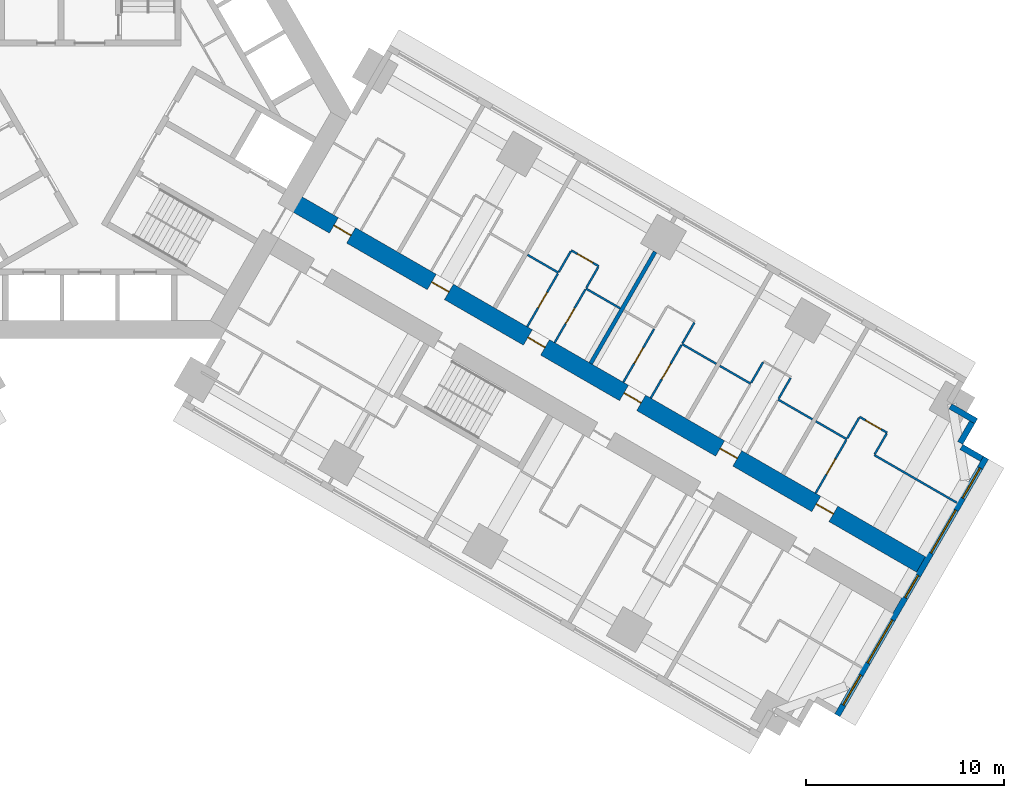
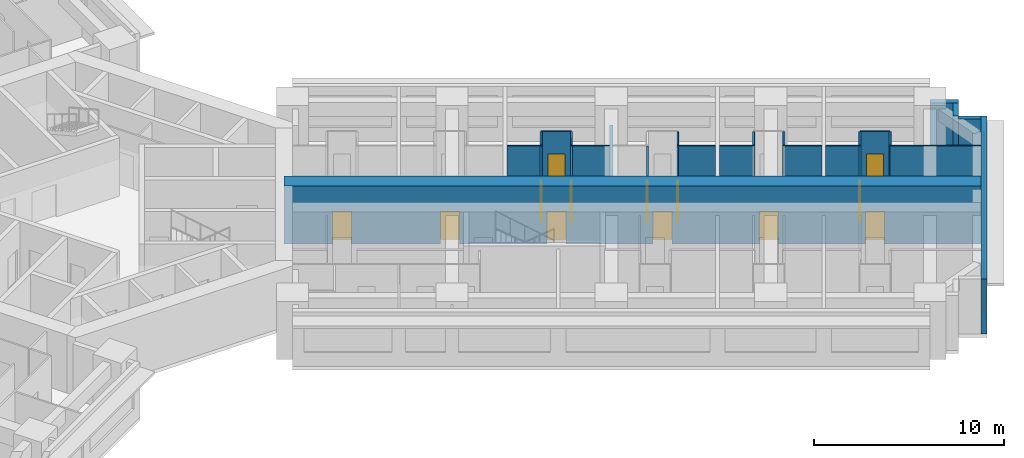
# One storey, part 12 of 16: 27 walls, 13 doors, 5 windows, 18 openings.
"""IFC4 building model written with IfcOpenShell, lengths in metres."""

from ifc_helpers import new_model, si_unit, direction, frame, frame_2d, origin, place, context, subcontext, project, spatial, rectangle, extrude, material, layer, layer_set, type_object, element, fill, save


model = new_model("IFC4")

# Units and contexts
model_context = context("Model", 3, precision=1e-05, world=origin(), true_north=direction((0.0, 1.0)))
body_context = subcontext(model_context, "Body", "Model", "MODEL_VIEW")
ifc_project = project(units=[si_unit("LENGTHUNIT", "METRE"), si_unit("AREAUNIT", "SQUARE_METRE"), si_unit("VOLUMEUNIT", "CUBIC_METRE"), si_unit("PLANEANGLEUNIT", "RADIAN"), si_unit("MASSUNIT", "GRAM", prefix="KILO")], contexts=[model_context])

# Site, building, storey
site_placement = place(None, origin())
site = spatial("IfcSite", under=ifc_project, at=site_placement, CompositionType="ELEMENT")
building_placement = place(site_placement, origin())
building = spatial("IfcBuilding", under=site, at=building_placement, Name="Impinga Residences", CompositionType="ELEMENT")
storey_placement = place(building_placement, frame((0.0, 0.0, 41.0)))
storey = spatial("IfcBuildingStorey", under=building, at=storey_placement, Name="L09", CompositionType="ELEMENT", Elevation=41.0)

# Wall, openings, doors
ifc_material_1 = material(Name="Concrete C70/85", Category="concrete")
ifc_layer_1 = layer(ifc_material_1, 0.89990234375)
ifc_layer_set_1 = layer_set([ifc_layer_1], Name="Concrete C70/85")
wall_type_1 = type_object("IfcWallType", Name="BW1 corridor buttress wall, L05 to L22 900", PredefinedType="SHEAR", material=ifc_layer_set_1)
wall_1_placement = place(storey_placement, frame((10.1103515625, -4.451416015625, 0.0), z_axis=(0.0, 0.0, 1.0), x_axis=(0.866025284237, -0.500000207062, 0.0)))
wall_1 = element("IfcWall", 1, at=wall_1_placement, inside=storey, type_object=wall_type_1, Name="Corridor wall BW1 EC L09", PredefinedType="SHEAR", context=body_context, shape_type="SweptSolid", body=[
    extrude(rectangle(XDim=36.75, YDim=0.89990234375, at=frame_2d((18.375, 0.0))), origin(), (0.0, 0.0, 1.0), 3.75),
])
opening_1_placement = place(wall_1_placement, frame((2.550048828125, 0.0, 0.0)))
opening_1 = element("IfcOpeningElement", 2, at=opening_1_placement, cuts=wall_1, Name="Opening D1", PredefinedType="OPENING", context=body_context, shape_type="SweptSolid", body=[
    extrude(rectangle(XDim=1.0, YDim=2.10009765625, at=frame_2d((0.5, 1.050048828125))), frame((0.0, 0.4599609375, 0.0), z_axis=(0.0, -1.0, 0.0), x_axis=(1.0, 0.0, 0.0)), (0.0, 0.0, 1.0), 0.919921875),
])
opening_2_placement = place(wall_1_placement, frame((8.25, 0.0, 0.0)))
opening_2 = element("IfcOpeningElement", 3, at=opening_2_placement, cuts=wall_1, Name="Opening D1", PredefinedType="OPENING", context=body_context, shape_type="SweptSolid", body=[
    extrude(rectangle(XDim=1.0, YDim=2.10009765625, at=frame_2d((0.5, 1.050048828125))), frame((0.0, 0.4599609375, 0.0), z_axis=(0.0, -1.0, 0.0), x_axis=(1.0, 0.0, 0.0)), (0.0, 0.0, 1.0), 0.919921875),
])
opening_3_placement = place(wall_1_placement, frame((13.85009765625, 0.0, 0.0)))
opening_3 = element("IfcOpeningElement", 4, at=opening_3_placement, cuts=wall_1, Name="Opening D1", PredefinedType="OPENING", context=body_context, shape_type="SweptSolid", body=[
    extrude(rectangle(XDim=1.0, YDim=2.10009765625, at=frame_2d((0.5, 1.050048828125))), frame((0.0, 0.4599609375, 0.0), z_axis=(0.0, -1.0, 0.0), x_axis=(1.0, 0.0, 0.0)), (0.0, 0.0, 1.0), 0.919921875),
])
opening_4_placement = place(wall_1_placement, frame((19.449951171875, 0.0, 0.0)))
opening_4 = element("IfcOpeningElement", 5, at=opening_4_placement, cuts=wall_1, Name="Opening D1", PredefinedType="OPENING", context=body_context, shape_type="SweptSolid", body=[
    extrude(rectangle(XDim=1.0, YDim=2.10009765625, at=frame_2d((0.5, 1.050048828125))), frame((0.0, 0.4599609375, 0.0), z_axis=(0.0, -1.0, 0.0), x_axis=(1.0, 0.0, 0.0)), (0.0, 0.0, 1.0), 0.919921875),
])
opening_5_placement = place(wall_1_placement, frame((25.050048828125, 0.0, 0.0)))
opening_5 = element("IfcOpeningElement", 6, at=opening_5_placement, cuts=wall_1, Name="Opening D1", PredefinedType="OPENING", context=body_context, shape_type="SweptSolid", body=[
    extrude(rectangle(XDim=1.0, YDim=2.10009765625, at=frame_2d((0.5, 1.050048828125))), frame((0.0, 0.4599609375, 0.0), z_axis=(0.0, -1.0, 0.0), x_axis=(1.0, 0.0, 0.0)), (0.0, 0.0, 1.0), 0.919921875),
])
opening_6_placement = place(wall_1_placement, frame((30.64990234375, 0.0, 0.0)))
opening_6 = element("IfcOpeningElement", 7, at=opening_6_placement, cuts=wall_1, Name="Opening D1", PredefinedType="OPENING", context=body_context, shape_type="SweptSolid", body=[
    extrude(rectangle(XDim=1.0, YDim=2.10009765625, at=frame_2d((0.5, 1.050048828125))), frame((0.0, 0.4599609375, 0.0), z_axis=(0.0, -1.0, 0.0), x_axis=(1.0, 0.0, 0.0)), (0.0, 0.0, 1.0), 0.919921875),
])
ifc_material_2 = material(Name="Timber door set", Category="wood")
door_type_1 = type_object("IfcDoorType", Name="D1 apartment entrance door 1000x2100", OperationType="SINGLE_SWING_LEFT", PredefinedType="DOOR", material=ifc_material_2)
door_1_placement = place(opening_1_placement, origin())
door_1 = element("IfcDoor", 8, at=door_1_placement, inside=storey, type_object=door_type_1, Name="Apartment L09-EA1 entrance", OperationType="SINGLE_SWING_LEFT", OverallHeight=2.10009765625, OverallWidth=1.0, PredefinedType="DOOR", context=body_context, shape_type="SweptSolid", body=[
    extrude(rectangle(XDim=1.0, YDim=2.10009765625, at=frame_2d((0.5, 1.050048828125))), frame((0.0, 0.02490234375, 0.0), z_axis=(0.0, -1.0, 0.0), x_axis=(1.0, 0.0, 0.0)), (0.0, 0.0, 1.0), 0.050048828125),
])
fill(opening_1, door_1)
door_2_placement = place(opening_2_placement, origin())
door_2 = element("IfcDoor", 9, at=door_2_placement, inside=storey, type_object=door_type_1, Name="Apartment L09-EA2 entrance", OperationType="SINGLE_SWING_LEFT", OverallHeight=2.10009765625, OverallWidth=1.0, PredefinedType="DOOR", context=body_context, shape_type="SweptSolid", body=[
    extrude(rectangle(XDim=1.0, YDim=2.10009765625, at=frame_2d((0.5, 1.050048828125))), frame((0.0, 0.02490234375, 0.0), z_axis=(0.0, -1.0, 0.0), x_axis=(1.0, 0.0, 0.0)), (0.0, 0.0, 1.0), 0.050048828125),
])
fill(opening_2, door_2)
door_3_placement = place(opening_3_placement, origin())
door_3 = element("IfcDoor", 10, at=door_3_placement, inside=storey, type_object=door_type_1, Name="Apartment L09-EA3 entrance", OperationType="SINGLE_SWING_LEFT", OverallHeight=2.10009765625, OverallWidth=1.0, PredefinedType="DOOR", context=body_context, shape_type="SweptSolid", body=[
    extrude(rectangle(XDim=1.0, YDim=2.10009765625, at=frame_2d((0.5, 1.050048828125))), frame((0.0, 0.02490234375, 0.0), z_axis=(0.0, -1.0, 0.0), x_axis=(1.0, 0.0, 0.0)), (0.0, 0.0, 1.0), 0.050048828125),
])
fill(opening_3, door_3)
door_4_placement = place(opening_4_placement, origin())
door_4 = element("IfcDoor", 11, at=door_4_placement, inside=storey, type_object=door_type_1, Name="Apartment L09-EA4 entrance", OperationType="SINGLE_SWING_RIGHT", OverallHeight=2.10009765625, OverallWidth=1.0, PredefinedType="DOOR", context=body_context, shape_type="SweptSolid", body=[
    extrude(rectangle(XDim=1.0, YDim=2.10009765625, at=frame_2d((0.5, 1.050048828125))), frame((0.0, 0.02490234375, 0.0), z_axis=(0.0, -1.0, 0.0), x_axis=(1.0, 0.0, 0.0)), (0.0, 0.0, 1.0), 0.050048828125),
])
fill(opening_4, door_4)
door_5_placement = place(opening_5_placement, origin())
door_5 = element("IfcDoor", 12, at=door_5_placement, inside=storey, type_object=door_type_1, Name="Apartment L09-EA5 entrance", OperationType="SINGLE_SWING_RIGHT", OverallHeight=2.10009765625, OverallWidth=1.0, PredefinedType="DOOR", context=body_context, shape_type="SweptSolid", body=[
    extrude(rectangle(XDim=1.0, YDim=2.10009765625, at=frame_2d((0.5, 1.050048828125))), frame((0.0, 0.02490234375, 0.0), z_axis=(0.0, -1.0, 0.0), x_axis=(1.0, 0.0, 0.0)), (0.0, 0.0, 1.0), 0.050048828125),
])
fill(opening_5, door_5)
door_6_placement = place(opening_6_placement, origin())
door_6 = element("IfcDoor", 13, at=door_6_placement, inside=storey, type_object=door_type_1, Name="Apartment L09-EA6 entrance", OperationType="SINGLE_SWING_RIGHT", OverallHeight=2.10009765625, OverallWidth=1.0, PredefinedType="DOOR", context=body_context, shape_type="SweptSolid", body=[
    extrude(rectangle(XDim=1.0, YDim=2.10009765625, at=frame_2d((0.5, 1.050048828125))), frame((0.0, 0.02490234375, 0.0), z_axis=(0.0, -1.0, 0.0), x_axis=(1.0, 0.0, 0.0)), (0.0, 0.0, 1.0), 0.050048828125),
])
fill(opening_6, door_6)

# Walls
ifc_material_3 = material(Name="Terracotta rainscreen on blockwork", Category="masonry")
ifc_layer_2 = layer(ifc_material_3, 0.300048828125)
ifc_layer_set_2 = layer_set([ifc_layer_2], Name="EW1 external wall, terracotta rainscreen on blockwork 300")
wall_type_2 = type_object("IfcWallType", Name="EW1 external wall, terracotta rainscreen on blockwork 300", PredefinedType="SOLIDWALL", material=ifc_layer_set_2)
wall_2_placement = place(storey_placement, frame((43.42333984375, -14.8515625, 0.0), z_axis=(0.0, 0.0, 1.0), x_axis=(0.866031096941, -0.499990139034, 0.0)))
element("IfcWall", 14, at=wall_2_placement, inside=storey, type_object=wall_type_2, Name="External wall EW1 L09", PredefinedType="SOLIDWALL", context=body_context, shape_type="SweptSolid", body=[
    extrude(rectangle(XDim=1.5, YDim=0.300048828125, at=frame_2d((0.75, 0.0))), origin(), (0.0, 0.0, 1.0), 3.530029296875),
])
wall_3_placement = place(storey_placement, frame((44.517578125, -15.65625, 0.0), z_axis=(0.0, 0.0, 1.0), x_axis=(-0.500033551112, -0.866006032174, 0.0)))
element("IfcWall", 15, at=wall_3_placement, inside=storey, type_object=wall_type_2, Name="External wall EW1 L09", PredefinedType="SOLIDWALL", context=body_context, shape_type="SweptSolid", body=[
    extrude(rectangle(XDim=1.2001953125, YDim=0.300048828125, at=frame_2d((0.60009765625, 0.0))), origin(), (0.0, 0.0, 1.0), 3.530029296875),
])
wall_4_placement = place(storey_placement, frame((43.976806640625, -16.903076171875, 0.0), z_axis=(0.0, 0.0, 1.0), x_axis=(0.866059708757, -0.499940577336, 0.0)))
element("IfcWall", 16, at=wall_4_placement, inside=storey, type_object=wall_type_2, Name="External wall EW1 L09", PredefinedType="SOLIDWALL", context=body_context, shape_type="SweptSolid", body=[
    extrude(rectangle(XDim=1.195068359375, YDim=0.300048828125, at=frame_2d((0.59765625, 0.0))), origin(), (0.0, 0.0, 1.0), 3.530029296875),
])

# Wall, openings, windows
wall_5_placement = place(storey_placement, frame((45.216552734375, -17.445556640625, 0.0), z_axis=(0.0, 0.0, 1.0), x_axis=(-0.499997186618, -0.866027028085, 0.0)))
wall_5 = element("IfcWall", 17, at=wall_5_placement, inside=storey, type_object=wall_type_2, Name="External wall EW1 L09", PredefinedType="SOLIDWALL", context=body_context, shape_type="SweptSolid", body=[
    extrude(rectangle(XDim=15.0, YDim=0.300048828125, at=frame_2d((7.5, 0.0))), origin(), (0.0, 0.0, 1.0), 3.530029296875),
])
opening_7_placement = place(wall_5_placement, frame((0.60009765625, 0.0, 0.89990234375)))
opening_7 = element("IfcOpeningElement", 18, at=opening_7_placement, cuts=wall_5, Name="Opening W1", PredefinedType="OPENING", context=body_context, shape_type="SweptSolid", body=[
    extrude(rectangle(XDim=1.75, YDim=2.050048828125, at=frame_2d((0.875, 1.02490234375))), frame((0.0, 0.159912109375, 0.0), z_axis=(0.0, -1.0, 0.0), x_axis=(1.0, 0.0, 0.0)), (0.0, 0.0, 1.0), 0.320068359375),
])
opening_8_placement = place(wall_5_placement, frame((3.050048828125, 0.0, 0.89990234375)))
opening_8 = element("IfcOpeningElement", 19, at=opening_8_placement, cuts=wall_5, Name="Opening W2", PredefinedType="OPENING", context=body_context, shape_type="SweptSolid", body=[
    extrude(rectangle(XDim=2.5, YDim=2.050048828125, at=frame_2d((1.25, 1.02490234375))), frame((0.0, 0.159912109375, 0.0), z_axis=(0.0, -1.0, 0.0), x_axis=(1.0, 0.0, 0.0)), (0.0, 0.0, 1.0), 0.320068359375),
])
opening_9_placement = place(wall_5_placement, frame((6.85009765625, 0.0, 0.89990234375)))
opening_9 = element("IfcOpeningElement", 20, at=opening_9_placement, cuts=wall_5, Name="Opening WE1", PredefinedType="OPENING", context=body_context, shape_type="SweptSolid", body=[
    extrude(rectangle(XDim=1.300048828125, YDim=2.050048828125, at=frame_2d((0.64990234375, 1.02490234375))), frame((0.0, 0.159912109375, 0.0), z_axis=(0.0, -1.0, 0.0), x_axis=(1.0, 0.0, 0.0)), (0.0, 0.0, 1.0), 0.320068359375),
])
opening_10_placement = place(wall_5_placement, frame((9.449951171875, 0.0, 0.89990234375)))
opening_10 = element("IfcOpeningElement", 21, at=opening_10_placement, cuts=wall_5, Name="Opening W2", PredefinedType="OPENING", context=body_context, shape_type="SweptSolid", body=[
    extrude(rectangle(XDim=2.5, YDim=2.050048828125, at=frame_2d((1.25, 1.02490234375))), frame((0.0, 0.159912109375, 0.0), z_axis=(0.0, -1.0, 0.0), x_axis=(1.0, 0.0, 0.0)), (0.0, 0.0, 1.0), 0.320068359375),
])
opening_11_placement = place(wall_5_placement, frame((12.64990234375, 0.0, 0.89990234375)))
opening_11 = element("IfcOpeningElement", 22, at=opening_11_placement, cuts=wall_5, Name="Opening W1", PredefinedType="OPENING", context=body_context, shape_type="SweptSolid", body=[
    extrude(rectangle(XDim=1.75, YDim=2.050048828125, at=frame_2d((0.875, 1.02490234375))), frame((0.0, 0.159912109375, 0.0), z_axis=(0.0, -1.0, 0.0), x_axis=(1.0, 0.0, 0.0)), (0.0, 0.0, 1.0), 0.320068359375),
])
ifc_material_4 = material(Name="Aluminium window, clear double glazing", Category="aluminium")
window_type_1 = type_object("IfcWindowType", Name="W1 ribbon window 1750x2050", PartitioningType="SINGLE_PANEL", PredefinedType="WINDOW", material=ifc_material_4)
window_1_placement = place(opening_7_placement, origin())
window_1 = element("IfcWindow", 23, at=window_1_placement, inside=storey, type_object=window_type_1, Name="Window L09", OverallHeight=2.050048828125, OverallWidth=1.75, PartitioningType="SINGLE_PANEL", PredefinedType="WINDOW", context=body_context, shape_type="SweptSolid", body=[
    extrude(rectangle(XDim=1.75, YDim=2.050048828125, at=frame_2d((0.875, 1.02490234375))), frame((0.0, 0.030029296875, 0.0), z_axis=(0.0, -1.0, 0.0), x_axis=(1.0, 0.0, 0.0)), (0.0, 0.0, 1.0), 0.06005859375),
])
fill(opening_7, window_1)
window_2_placement = place(opening_11_placement, origin())
window_2 = element("IfcWindow", 24, at=window_2_placement, inside=storey, type_object=window_type_1, Name="Window L09", OverallHeight=2.050048828125, OverallWidth=1.75, PartitioningType="SINGLE_PANEL", PredefinedType="WINDOW", context=body_context, shape_type="SweptSolid", body=[
    extrude(rectangle(XDim=1.75, YDim=2.050048828125, at=frame_2d((0.875, 1.02490234375))), frame((0.0, 0.030029296875, 0.0), z_axis=(0.0, -1.0, 0.0), x_axis=(1.0, 0.0, 0.0)), (0.0, 0.0, 1.0), 0.06005859375),
])
fill(opening_11, window_2)
window_type_2 = type_object("IfcWindowType", Name="W2 ribbon window 2500x2050", PartitioningType="SINGLE_PANEL", PredefinedType="WINDOW", material=ifc_material_4)
window_3_placement = place(opening_8_placement, origin())
window_3 = element("IfcWindow", 25, at=window_3_placement, inside=storey, type_object=window_type_2, Name="Window L09", OverallHeight=2.050048828125, OverallWidth=2.5, PartitioningType="SINGLE_PANEL", PredefinedType="WINDOW", context=body_context, shape_type="SweptSolid", body=[
    extrude(rectangle(XDim=2.5, YDim=2.050048828125, at=frame_2d((1.25, 1.02490234375))), frame((0.0, 0.030029296875, 0.0), z_axis=(0.0, -1.0, 0.0), x_axis=(1.0, 0.0, 0.0)), (0.0, 0.0, 1.0), 0.06005859375),
])
fill(opening_8, window_3)
window_4_placement = place(opening_10_placement, origin())
window_4 = element("IfcWindow", 26, at=window_4_placement, inside=storey, type_object=window_type_2, Name="Window L09", OverallHeight=2.050048828125, OverallWidth=2.5, PartitioningType="SINGLE_PANEL", PredefinedType="WINDOW", context=body_context, shape_type="SweptSolid", body=[
    extrude(rectangle(XDim=2.5, YDim=2.050048828125, at=frame_2d((1.25, 1.02490234375))), frame((0.0, 0.030029296875, 0.0), z_axis=(0.0, -1.0, 0.0), x_axis=(1.0, 0.0, 0.0)), (0.0, 0.0, 1.0), 0.06005859375),
])
fill(opening_10, window_4)
window_type_3 = type_object("IfcWindowType", Name="WE1 corridor window 1300x2050", PartitioningType="SINGLE_PANEL", PredefinedType="WINDOW", material=ifc_material_4)
window_5_placement = place(opening_9_placement, origin())
window_5 = element("IfcWindow", 27, at=window_5_placement, inside=storey, type_object=window_type_3, Name="Window L09", OverallHeight=2.050048828125, OverallWidth=1.300048828125, PartitioningType="SINGLE_PANEL", PredefinedType="WINDOW", context=body_context, shape_type="SweptSolid", body=[
    extrude(rectangle(XDim=1.300048828125, YDim=2.050048828125, at=frame_2d((0.64990234375, 1.02490234375))), frame((0.0, 0.030029296875, 0.0), z_axis=(0.0, -1.0, 0.0), x_axis=(1.0, 0.0, 0.0)), (0.0, 0.0, 1.0), 0.06005859375),
])
fill(opening_9, window_5)

# Walls
ifc_material_5 = material(Name="Gypsum board on steel studs", Category="steel")
ifc_layer_3 = layer(ifc_material_5, 0.10009765625)
ifc_layer_set_3 = layer_set([ifc_layer_3], Name="Gypsum board on steel studs")
wall_type_3 = type_object("IfcWallType", Name="IP1 partition 100", PredefinedType="PARTITIONING", material=ifc_layer_set_3)
wall_6_placement = place(storey_placement, frame((22.086181640625, -7.208740234375, 0.0), z_axis=(0.0, 0.0, 1.0), x_axis=(0.865989075817, -0.500062916607, 0.0)))
element("IfcWall", 28, at=wall_6_placement, inside=storey, type_object=wall_type_3, Name="Partition L09-EA3:DIV0", PredefinedType="PARTITIONING", context=body_context, shape_type="SweptSolid", body=[
    extrude(rectangle(XDim=1.800048828125, YDim=0.10009765625, at=frame_2d((0.89990234375, 0.0))), origin(), (0.0, 0.0, 1.0), 3.530029296875),
])
wall_7_placement = place(storey_placement, frame((25.030517578125, -8.908935546875, 0.0), z_axis=(0.0, 0.0, 1.0), x_axis=(0.866041268327, -0.499972520799, 0.0)))
element("IfcWall", 29, at=wall_7_placement, inside=storey, type_object=wall_type_3, Name="Partition L09-EA3:DIV1", PredefinedType="PARTITIONING", context=body_context, shape_type="SweptSolid", body=[
    extrude(rectangle(XDim=2.0, YDim=0.10009765625, at=frame_2d((1.0, 0.0))), origin(), (0.0, 0.0, 1.0), 3.530029296875),
])

# Wall, opening, door
wall_8_placement = place(storey_placement, frame((24.294921875, -6.98291015625, 0.0), z_axis=(0.0, 0.0, 1.0), x_axis=(0.866028054938, -0.499995408039, 0.0)))
wall_8 = element("IfcWall", 30, at=wall_8_placement, inside=storey, type_object=wall_type_3, Name="Partition L09-EA3:STRIP", PredefinedType="PARTITIONING", context=body_context, shape_type="SweptSolid", body=[
    extrude(rectangle(XDim=1.60009765625, YDim=0.10009765625, at=frame_2d((0.800048828125, 0.0))), origin(), (0.0, 0.0, 1.0), 3.530029296875),
])
opening_12_placement = place(wall_8_placement, frame((0.35009765625, 0.0, 0.0)))
opening_12 = element("IfcOpeningElement", 31, at=opening_12_placement, cuts=wall_8, Name="Opening D2", PredefinedType="OPENING", context=body_context, shape_type="SweptSolid", body=[
    extrude(rectangle(XDim=0.89990234375, YDim=2.10009765625, at=frame_2d((0.449951171875, 1.050048828125))), frame((0.0, 0.06005859375, 0.0), z_axis=(0.0, -1.0, 0.0), x_axis=(1.0, 0.0, 0.0)), (0.0, 0.0, 1.0), 0.1201171875),
])
door_type_2 = type_object("IfcDoorType", Name="D2 internal door 900x2100", OperationType="SINGLE_SWING_LEFT", PredefinedType="DOOR", material=ifc_material_2)
door_7_placement = place(opening_12_placement, origin())
door_7 = element("IfcDoor", 32, at=door_7_placement, inside=storey, type_object=door_type_2, Name="Apartment L09-EA3 room door", OperationType="SINGLE_SWING_LEFT", OverallHeight=2.10009765625, OverallWidth=0.89990234375, PredefinedType="DOOR", context=body_context, shape_type="SweptSolid", body=[
    extrude(rectangle(XDim=0.89990234375, YDim=2.10009765625, at=frame_2d((0.449951171875, 1.050048828125))), frame((0.0, 0.02490234375, 0.0), z_axis=(0.0, -1.0, 0.0), x_axis=(1.0, 0.0, 0.0)), (0.0, 0.0, 1.0), 0.050048828125),
])
fill(opening_12, door_7)

# Walls
wall_9_placement = place(storey_placement, frame((23.669921875, -8.0654296875, 0.0), z_axis=(0.0, 0.0, 1.0), x_axis=(0.50012165622, 0.865955154139, 0.0)))
element("IfcWall", 33, at=wall_9_placement, inside=storey, type_object=wall_type_3, Name="Partition L09-EA3:SE0", PredefinedType="PARTITIONING", context=body_context, shape_type="SweptSolid", body=[
    extrude(rectangle(XDim=1.199951171875, YDim=0.10009765625, at=frame_2d((0.60009765625, 0.0))), origin(), (0.0, 0.0, 1.0), 3.530029296875),
])
wall_10_placement = place(storey_placement, frame((25.0556640625, -8.865478515625, 0.0), z_axis=(0.0, 0.0, 1.0), x_axis=(0.499969057507, 0.866043267704, 0.0)))
element("IfcWall", 34, at=wall_10_placement, inside=storey, type_object=wall_type_3, Name="Partition L09-EA3:SE1", PredefinedType="PARTITIONING", context=body_context, shape_type="SweptSolid", body=[
    extrude(rectangle(XDim=1.19970703125, YDim=0.10009765625, at=frame_2d((0.599853515625, 0.0))), origin(), (0.0, 0.0, 1.0), 3.530029296875),
])

# Wall, opening, door
wall_11_placement = place(storey_placement, frame((22.06982421875, -10.8369140625, 0.0), z_axis=(0.0, 0.0, 1.0), x_axis=(0.49999285859, 0.86602952684, 0.0)))
wall_11 = element("IfcWall", 35, at=wall_11_placement, inside=storey, type_object=wall_type_3, Name="Partition L09-EA3:IB1", PredefinedType="PARTITIONING", context=body_context, shape_type="SweptSolid", body=[
    extrude(rectangle(XDim=3.10009765625, YDim=0.10009765625, at=frame_2d((1.550048828125, 0.0))), origin(), (0.0, 0.0, 1.0), 3.530029296875),
])
opening_13_placement = place(wall_11_placement, frame((1.10009765625, 0.0, 0.0)))
opening_13 = element("IfcOpeningElement", 36, at=opening_13_placement, cuts=wall_11, Name="Opening D2", PredefinedType="OPENING", context=body_context, shape_type="SweptSolid", body=[
    extrude(rectangle(XDim=0.89990234375, YDim=2.10009765625, at=frame_2d((0.449951171875, 1.050048828125))), frame((0.0, 0.06005859375, 0.0), z_axis=(0.0, -1.0, 0.0), x_axis=(1.0, 0.0, 0.0)), (0.0, 0.0, 1.0), 0.1201171875),
])
door_8_placement = place(opening_13_placement, origin())
door_8 = element("IfcDoor", 37, at=door_8_placement, inside=storey, type_object=door_type_2, Name="Apartment L09-EA3 bathroom door", OperationType="SINGLE_SWING_LEFT", OverallHeight=2.10009765625, OverallWidth=0.89990234375, PredefinedType="DOOR", context=body_context, shape_type="SweptSolid", body=[
    extrude(rectangle(XDim=0.89990234375, YDim=2.10009765625, at=frame_2d((0.449951171875, 1.050048828125))), frame((0.0, 0.02490234375, 0.0), z_axis=(0.0, -1.0, 0.0), x_axis=(1.0, 0.0, 0.0)), (0.0, 0.0, 1.0), 0.050048828125),
])
fill(opening_13, door_8)

wall_12_placement = place(storey_placement, frame((23.45556640625, -11.63671875, 0.0), z_axis=(0.0, 0.0, 1.0), x_axis=(0.500026960575, 0.86600983753, 0.0)))
wall_12 = element("IfcWall", 38, at=wall_12_placement, inside=storey, type_object=wall_type_3, Name="Partition L09-EA3:IB2", PredefinedType="PARTITIONING", context=body_context, shape_type="SweptSolid", body=[
    extrude(rectangle(XDim=3.099853515625, YDim=0.10009765625, at=frame_2d((1.5498046875, 0.0))), origin(), (0.0, 0.0, 1.0), 3.530029296875),
])
opening_14_placement = place(wall_12_placement, frame((1.10009765625, 0.0, 0.0)))
opening_14 = element("IfcOpeningElement", 39, at=opening_14_placement, cuts=wall_12, Name="Opening D2", PredefinedType="OPENING", context=body_context, shape_type="SweptSolid", body=[
    extrude(rectangle(XDim=0.89990234375, YDim=2.10009765625, at=frame_2d((0.449951171875, 1.050048828125))), frame((0.0, 0.06005859375, 0.0), z_axis=(0.0, -1.0, 0.0), x_axis=(1.0, 0.0, 0.0)), (0.0, 0.0, 1.0), 0.1201171875),
])
door_9_placement = place(opening_14_placement, origin())
door_9 = element("IfcDoor", 40, at=door_9_placement, inside=storey, type_object=door_type_2, Name="Apartment L09-EA3 WC door", OperationType="SINGLE_SWING_LEFT", OverallHeight=2.10009765625, OverallWidth=0.89990234375, PredefinedType="DOOR", context=body_context, shape_type="SweptSolid", body=[
    extrude(rectangle(XDim=0.89990234375, YDim=2.10009765625, at=frame_2d((0.449951171875, 1.050048828125))), frame((0.0, 0.02490234375, 0.0), z_axis=(0.0, -1.0, 0.0), x_axis=(1.0, 0.0, 0.0)), (0.0, 0.0, 1.0), 0.050048828125),
])
fill(opening_14, door_9)

# Walls
wall_13_placement = place(storey_placement, frame((29.88037109375, -11.708740234375, 0.0), z_axis=(0.0, 0.0, 1.0), x_axis=(0.866010750942, -0.50002537861, 0.0)))
element("IfcWall", 41, at=wall_13_placement, inside=storey, type_object=wall_type_3, Name="Partition L09-EA4:DIV1", PredefinedType="PARTITIONING", context=body_context, shape_type="SweptSolid", body=[
    extrude(rectangle(XDim=2.0, YDim=0.10009765625, at=frame_2d((1.0, 0.0))), origin(), (0.0, 0.0, 1.0), 3.530029296875),
])
wall_14_placement = place(storey_placement, frame((29.9052734375, -11.66552734375, 0.0), z_axis=(0.0, 0.0, 1.0), x_axis=(0.500033551112, 0.866006032174, 0.0)))
element("IfcWall", 42, at=wall_14_placement, inside=storey, type_object=wall_type_3, Name="Partition L09-EA4:SE1", PredefinedType="PARTITIONING", context=body_context, shape_type="SweptSolid", body=[
    extrude(rectangle(XDim=1.2001953125, YDim=0.10009765625, at=frame_2d((0.60009765625, 0.0))), origin(), (0.0, 0.0, 1.0), 3.530029296875),
])

# Wall, opening, door
wall_15_placement = place(storey_placement, frame((26.919677734375, -13.63671875, 0.0), z_axis=(0.0, 0.0, 1.0), x_axis=(0.500026960575, 0.86600983753, 0.0)))
wall_15 = element("IfcWall", 43, at=wall_15_placement, inside=storey, type_object=wall_type_3, Name="Partition L09-EA4:IB1", PredefinedType="PARTITIONING", context=body_context, shape_type="SweptSolid", body=[
    extrude(rectangle(XDim=3.099853515625, YDim=0.10009765625, at=frame_2d((1.5498046875, 0.0))), origin(), (0.0, 0.0, 1.0), 3.530029296875),
])
opening_15_placement = place(wall_15_placement, frame((1.10009765625, 0.0, 0.0)))
opening_15 = element("IfcOpeningElement", 44, at=opening_15_placement, cuts=wall_15, Name="Opening D2", PredefinedType="OPENING", context=body_context, shape_type="SweptSolid", body=[
    extrude(rectangle(XDim=0.89990234375, YDim=2.10009765625, at=frame_2d((0.449951171875, 1.050048828125))), frame((0.0, 0.06005859375, 0.0), z_axis=(0.0, -1.0, 0.0), x_axis=(1.0, 0.0, 0.0)), (0.0, 0.0, 1.0), 0.1201171875),
])
door_10_placement = place(opening_15_placement, origin())
door_10 = element("IfcDoor", 45, at=door_10_placement, inside=storey, type_object=door_type_2, Name="Apartment L09-EA4 bathroom door", OperationType="SINGLE_SWING_LEFT", OverallHeight=2.10009765625, OverallWidth=0.89990234375, PredefinedType="DOOR", context=body_context, shape_type="SweptSolid", body=[
    extrude(rectangle(XDim=0.89990234375, YDim=2.10009765625, at=frame_2d((0.449951171875, 1.050048828125))), frame((0.0, 0.02490234375, 0.0), z_axis=(0.0, -1.0, 0.0), x_axis=(1.0, 0.0, 0.0)), (0.0, 0.0, 1.0), 0.050048828125),
])
fill(opening_15, door_10)

wall_16_placement = place(storey_placement, frame((28.305419921875, -14.436767578125, 0.0), z_axis=(0.0, 0.0, 1.0), x_axis=(0.499967891604, 0.866043940782, 0.0)))
wall_16 = element("IfcWall", 46, at=wall_16_placement, inside=storey, type_object=wall_type_3, Name="Partition L09-EA4:IB2", PredefinedType="PARTITIONING", context=body_context, shape_type="SweptSolid", body=[
    extrude(rectangle(XDim=3.099853515625, YDim=0.10009765625, at=frame_2d((1.5498046875, 0.0))), origin(), (0.0, 0.0, 1.0), 3.530029296875),
])
opening_16_placement = place(wall_16_placement, frame((1.10009765625, 0.0, 0.0)))
opening_16 = element("IfcOpeningElement", 47, at=opening_16_placement, cuts=wall_16, Name="Opening D2", PredefinedType="OPENING", context=body_context, shape_type="SweptSolid", body=[
    extrude(rectangle(XDim=0.89990234375, YDim=2.10009765625, at=frame_2d((0.449951171875, 1.050048828125))), frame((0.0, 0.06005859375, 0.0), z_axis=(0.0, -1.0, 0.0), x_axis=(1.0, 0.0, 0.0)), (0.0, 0.0, 1.0), 0.1201171875),
])
door_11_placement = place(opening_16_placement, origin())
door_11 = element("IfcDoor", 48, at=door_11_placement, inside=storey, type_object=door_type_2, Name="Apartment L09-EA4 WC door", OperationType="SINGLE_SWING_LEFT", OverallHeight=2.10009765625, OverallWidth=0.89990234375, PredefinedType="DOOR", context=body_context, shape_type="SweptSolid", body=[
    extrude(rectangle(XDim=0.89990234375, YDim=2.10009765625, at=frame_2d((0.449951171875, 1.050048828125))), frame((0.0, 0.02490234375, 0.0), z_axis=(0.0, -1.0, 0.0), x_axis=(1.0, 0.0, 0.0)), (0.0, 0.0, 1.0), 0.050048828125),
])
fill(opening_16, door_11)

# Walls
wall_17_placement = place(storey_placement, frame((31.78564453125, -12.808837890625, 0.0), z_axis=(0.0, 0.0, 1.0), x_axis=(0.866047807691, -0.499961193289, 0.0)))
element("IfcWall", 49, at=wall_17_placement, inside=storey, type_object=wall_type_3, Name="Partition L09-EA5:DIV0", PredefinedType="PARTITIONING", context=body_context, shape_type="SweptSolid", body=[
    extrude(rectangle(XDim=1.800048828125, YDim=0.10009765625, at=frame_2d((0.89990234375, 0.0))), origin(), (0.0, 0.0, 1.0), 3.530029296875),
])
wall_18_placement = place(storey_placement, frame((34.72998046875, -14.5087890625, 0.0), z_axis=(0.0, 0.0, 1.0), x_axis=(0.866041268327, -0.499972520799, 0.0)))
element("IfcWall", 50, at=wall_18_placement, inside=storey, type_object=wall_type_3, Name="Partition L09-EA5:DIV1", PredefinedType="PARTITIONING", context=body_context, shape_type="SweptSolid", body=[
    extrude(rectangle(XDim=2.0, YDim=0.10009765625, at=frame_2d((1.0, 0.0))), origin(), (0.0, 0.0, 1.0), 3.530029296875),
])
wall_19_placement = place(storey_placement, frame((33.369384765625, -13.66552734375, 0.0), z_axis=(0.0, 0.0, 1.0), x_axis=(0.500033551112, 0.866006032174, 0.0)))
element("IfcWall", 51, at=wall_19_placement, inside=storey, type_object=wall_type_3, Name="Partition L09-EA5:SE0", PredefinedType="PARTITIONING", context=body_context, shape_type="SweptSolid", body=[
    extrude(rectangle(XDim=1.2001953125, YDim=0.10009765625, at=frame_2d((0.60009765625, 0.0))), origin(), (0.0, 0.0, 1.0), 3.530029296875),
])
wall_20_placement = place(storey_placement, frame((34.755126953125, -14.465576171875, 0.0), z_axis=(0.0, 0.0, 1.0), x_axis=(0.499880961361, 0.866094119867, 0.0)))
element("IfcWall", 52, at=wall_20_placement, inside=storey, type_object=wall_type_3, Name="Partition L09-EA5:SE1", PredefinedType="PARTITIONING", context=body_context, shape_type="SweptSolid", body=[
    extrude(rectangle(XDim=1.199951171875, YDim=0.10009765625, at=frame_2d((0.60009765625, 0.0))), origin(), (0.0, 0.0, 1.0), 3.530029296875),
])
wall_21_placement = place(storey_placement, frame((36.63525390625, -15.60888671875, 0.0), z_axis=(0.0, 0.0, 1.0), x_axis=(0.866047807691, -0.499961193289, 0.0)))
element("IfcWall", 53, at=wall_21_placement, inside=storey, type_object=wall_type_3, Name="Partition L09-EA6:DIV0", PredefinedType="PARTITIONING", context=body_context, shape_type="SweptSolid", body=[
    extrude(rectangle(XDim=1.800048828125, YDim=0.10009765625, at=frame_2d((0.89990234375, 0.0))), origin(), (0.0, 0.0, 1.0), 3.530029296875),
])
wall_22_placement = place(storey_placement, frame((39.579833984375, -17.308837890625, 0.0), z_axis=(0.0, 0.0, 1.0), x_axis=(0.866037363387, -0.499979284789, 0.0)))
element("IfcWall", 54, at=wall_22_placement, inside=storey, type_object=wall_type_3, Name="Partition L09-EA6:DIV1", PredefinedType="PARTITIONING", context=body_context, shape_type="SweptSolid", body=[
    extrude(rectangle(XDim=4.800048828125, YDim=0.10009765625, at=frame_2d((2.39990234375, 0.0))), origin(), (0.0, 0.0, 1.0), 3.530029296875),
])

# Wall, opening, door
wall_23_placement = place(storey_placement, frame((38.84423828125, -15.383056640625, 0.0), z_axis=(0.0, 0.0, 1.0), x_axis=(0.865989903783, -0.500061482766, 0.0)))
wall_23 = element("IfcWall", 55, at=wall_23_placement, inside=storey, type_object=wall_type_3, Name="Partition L09-EA6:STRIP", PredefinedType="PARTITIONING", context=body_context, shape_type="SweptSolid", body=[
    extrude(rectangle(XDim=1.599853515625, YDim=0.10009765625, at=frame_2d((0.7998046875, 0.0))), origin(), (0.0, 0.0, 1.0), 3.530029296875),
])
opening_17_placement = place(wall_23_placement, frame((0.35009765625, 0.0, 0.0)))
opening_17 = element("IfcOpeningElement", 56, at=opening_17_placement, cuts=wall_23, Name="Opening D2", PredefinedType="OPENING", context=body_context, shape_type="SweptSolid", body=[
    extrude(rectangle(XDim=0.89990234375, YDim=2.10009765625, at=frame_2d((0.449951171875, 1.050048828125))), frame((0.0, 0.06005859375, 0.0), z_axis=(0.0, -1.0, 0.0), x_axis=(1.0, 0.0, 0.0)), (0.0, 0.0, 1.0), 0.1201171875),
])
door_12_placement = place(opening_17_placement, origin())
door_12 = element("IfcDoor", 57, at=door_12_placement, inside=storey, type_object=door_type_2, Name="Apartment L09-EA6 room door", OperationType="SINGLE_SWING_LEFT", OverallHeight=2.10009765625, OverallWidth=0.89990234375, PredefinedType="DOOR", context=body_context, shape_type="SweptSolid", body=[
    extrude(rectangle(XDim=0.89990234375, YDim=2.10009765625, at=frame_2d((0.449951171875, 1.050048828125))), frame((0.0, 0.02490234375, 0.0), z_axis=(0.0, -1.0, 0.0), x_axis=(1.0, 0.0, 0.0)), (0.0, 0.0, 1.0), 0.050048828125),
])
fill(opening_17, door_12)

# Walls
wall_24_placement = place(storey_placement, frame((38.21923828125, -16.465576171875, 0.0), z_axis=(0.0, 0.0, 1.0), x_axis=(0.499880961361, 0.866094119867, 0.0)))
element("IfcWall", 58, at=wall_24_placement, inside=storey, type_object=wall_type_3, Name="Partition L09-EA6:SE0", PredefinedType="PARTITIONING", context=body_context, shape_type="SweptSolid", body=[
    extrude(rectangle(XDim=1.199951171875, YDim=0.10009765625, at=frame_2d((0.60009765625, 0.0))), origin(), (0.0, 0.0, 1.0), 3.530029296875),
])
wall_25_placement = place(storey_placement, frame((39.604736328125, -17.265625, 0.0), z_axis=(0.0, 0.0, 1.0), x_axis=(0.500033551112, 0.866006032174, 0.0)))
element("IfcWall", 59, at=wall_25_placement, inside=storey, type_object=wall_type_3, Name="Partition L09-EA6:SE1", PredefinedType="PARTITIONING", context=body_context, shape_type="SweptSolid", body=[
    extrude(rectangle(XDim=1.2001953125, YDim=0.10009765625, at=frame_2d((0.60009765625, 0.0))), origin(), (0.0, 0.0, 1.0), 3.530029296875),
])

# Wall, opening, door
wall_26_placement = place(storey_placement, frame((36.619140625, -19.23681640625, 0.0), z_axis=(0.0, 0.0, 1.0), x_axis=(0.500026960575, 0.86600983753, 0.0)))
wall_26 = element("IfcWall", 60, at=wall_26_placement, inside=storey, type_object=wall_type_3, Name="Partition L09-EA6:IB1", PredefinedType="PARTITIONING", context=body_context, shape_type="SweptSolid", body=[
    extrude(rectangle(XDim=3.099853515625, YDim=0.10009765625, at=frame_2d((1.5498046875, 0.0))), origin(), (0.0, 0.0, 1.0), 3.530029296875),
])
opening_18_placement = place(wall_26_placement, frame((1.10009765625, 0.0, 0.0)))
opening_18 = element("IfcOpeningElement", 61, at=opening_18_placement, cuts=wall_26, Name="Opening D2", PredefinedType="OPENING", context=body_context, shape_type="SweptSolid", body=[
    extrude(rectangle(XDim=0.89990234375, YDim=2.10009765625, at=frame_2d((0.449951171875, 1.050048828125))), frame((0.0, 0.06005859375, 0.0), z_axis=(0.0, -1.0, 0.0), x_axis=(1.0, 0.0, 0.0)), (0.0, 0.0, 1.0), 0.1201171875),
])
door_13_placement = place(opening_18_placement, origin())
door_13 = element("IfcDoor", 62, at=door_13_placement, inside=storey, type_object=door_type_2, Name="Apartment L09-EA6 bathroom door", OperationType="SINGLE_SWING_LEFT", OverallHeight=2.10009765625, OverallWidth=0.89990234375, PredefinedType="DOOR", context=body_context, shape_type="SweptSolid", body=[
    extrude(rectangle(XDim=0.89990234375, YDim=2.10009765625, at=frame_2d((0.449951171875, 1.050048828125))), frame((0.0, 0.02490234375, 0.0), z_axis=(0.0, -1.0, 0.0), x_axis=(1.0, 0.0, 0.0)), (0.0, 0.0, 1.0), 0.050048828125),
])
fill(opening_18, door_13)

# Wall
ifc_material_6 = material(Name="Concrete blockwork", Category="masonry")
ifc_layer_4 = layer(ifc_material_6, 0.199951171875)
ifc_layer_set_4 = layer_set([ifc_layer_4], Name="PW1 party wall between apartments 200")
wall_type_4 = type_object("IfcWallType", Name="PW1 party wall between apartments 200", PredefinedType="SOLIDWALL", material=ifc_layer_set_4)
wall_27_placement = place(storey_placement, frame((25.274169921875, -12.686767578125, 0.0), z_axis=(0.0, 0.0, 1.0), x_axis=(0.50000098154, 0.866024837091, 0.0)))
element("IfcWall", 63, at=wall_27_placement, inside=storey, type_object=wall_type_4, Name="Party wall between apartments L09-EA3:PARTY", PredefinedType="SOLIDWALL", context=body_context, shape_type="SweptSolid", body=[
    extrude(rectangle(XDim=6.5, YDim=0.199951171875, at=frame_2d((3.25, 0.0))), origin(), (0.0, 0.0, 1.0), 2.47998046875),
])

save(model, "model.ifc")
